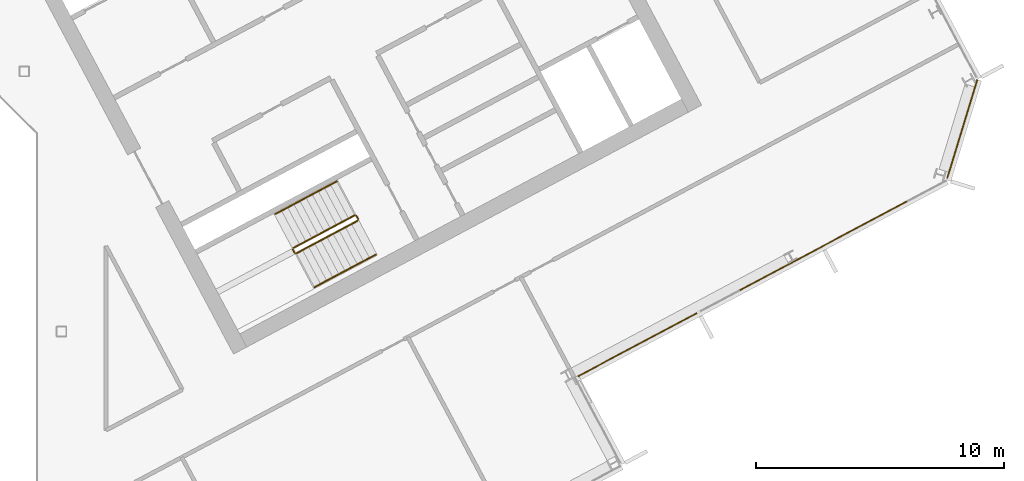
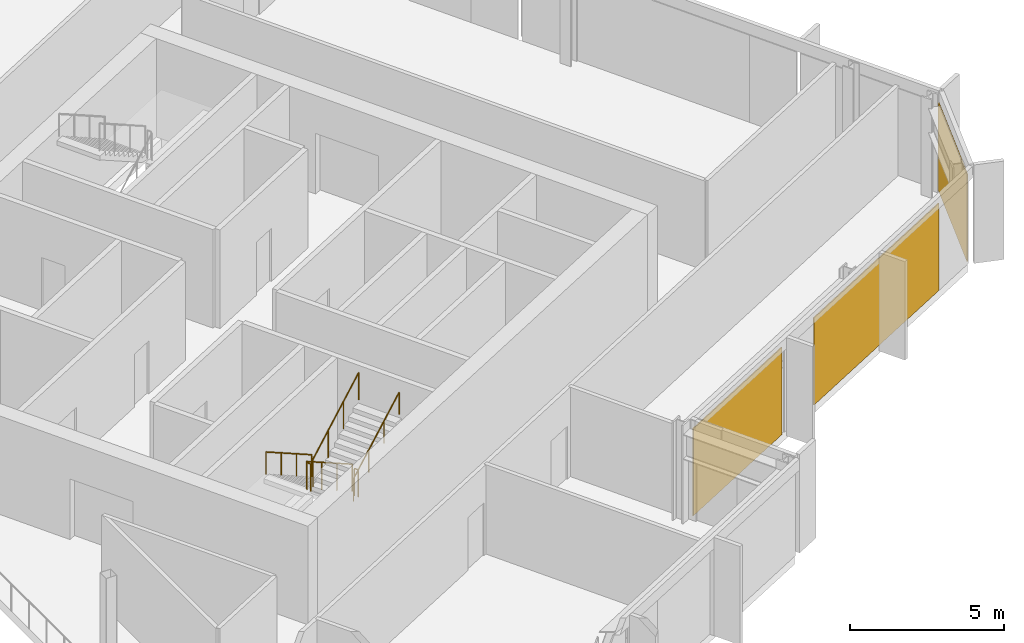
# One storey, part 25 of 27: 6 railings, 3 coverings, 2 elements without a shape of their own.
"""IFC4 building model written with IfcOpenShell, lengths in metres."""

import ifcopenshell
import ifcopenshell.guid

model = None  # the IFC model being written
_history = None  # IfcOwnerHistory: only IFC2X3 demands one
_inside = {}  # id of a spatial element -> (the spatial element, [elements in it])
_under = {}  # id of a project, library or spatial element -> (it, [spatial elements below it])
_declared = {}  # id of a project -> (the project, [libraries it declares])
_typed = {}  # id of a type object -> (the type object, [elements of that type])
_made_of = {}  # id of a material, layer set ... -> (it, [elements and type objects made of it])


def new_model(schema):
    """Start an empty IFC model of exactly this schema.

    Asked for "IFC4X3", IfcOpenShell would pick the latest addendum, in which some entities
    have other attributes; the version numbers below select the first issue.
    IFC2X3 requires an IfcOwnerHistory on every rooted entity: one is made here for all.
    """
    global model, _history
    if schema == "IFC4X3":
        model = ifcopenshell.file(schema_version=(4, 3, 0, 0))
    else:
        model = ifcopenshell.file(schema=schema)
    _inside.clear()
    _under.clear()
    _declared.clear()
    _typed.clear()
    _made_of.clear()
    _history = None
    if model.schema == "IFC2X3":
        org = make("IfcOrganization", Name="unknown")
        user = make(
            "IfcPersonAndOrganization",
            ThePerson=make("IfcPerson", FamilyName="unknown"),
            TheOrganization=org,
        )
        app = make(
            "IfcApplication",
            ApplicationDeveloper=org,
            Version="unknown",
            ApplicationFullName="unknown",
            ApplicationIdentifier="unknown",
        )
        _history = make(
            "IfcOwnerHistory",
            OwningUser=user,
            OwningApplication=app,
            ChangeAction="ADDED",
            CreationDate=0,
        )
    return model


def make(cls, **values):
    """One entity of the class cls with the attributes given. An attribute that is None is left unset."""
    return model.create_entity(
        cls, **{name: value for name, value in values.items() if value is not None}
    )


def rooted(cls, **values):
    """An entity with a GlobalId (a new one), such as an element, a storey or a relation."""
    return make(cls, GlobalId=ifcopenshell.guid.new(), OwnerHistory=_history, **values)


def si_unit(unit_type, name, prefix=None):
    """IfcSIUnit, for example si_unit("LENGTHUNIT", "METRE", prefix="MILLI")."""
    return make("IfcSIUnit", UnitType=unit_type, Prefix=prefix, Name=name)


def assignment(units):
    """IfcUnitAssignment: the units of a project."""
    return None if units is None else make("IfcUnitAssignment", Units=units)


def point(xyz):
    """IfcCartesianPoint."""
    return None if xyz is None else make("IfcCartesianPoint", Coordinates=xyz)


def direction(xyz):
    """IfcDirection."""
    return None if xyz is None else make("IfcDirection", DirectionRatios=xyz)


def frame(location, z_axis=None, x_axis=None):
    """IfcAxis2Placement3D, a coordinate frame: its origin and axes. An axis left out is left unset."""
    return make(
        "IfcAxis2Placement3D",
        Location=point(location),
        Axis=direction(z_axis),
        RefDirection=direction(x_axis),
    )


def frame_2d(location, x_axis=None):
    """IfcAxis2Placement2D, a coordinate frame in the plane: its origin and x axis."""
    return make(
        "IfcAxis2Placement2D", Location=point(location), RefDirection=direction(x_axis)
    )


def origin():
    """The frame at (0, 0, 0) with its axes left unset."""
    return frame((0.0, 0.0, 0.0))


def origin_2d():
    """The frame at (0, 0) in the plane with its x axis left unset."""
    return frame_2d((0.0, 0.0))


def place(relative_to, where):
    """IfcLocalPlacement: puts the frame where relative to a parent placement (None: the world)."""
    return make(
        "IfcLocalPlacement", PlacementRelTo=relative_to, RelativePlacement=where
    )


def context(
    kind, dimensions, precision=None, world=None, true_north=None, identifier=None
):
    """IfcGeometricRepresentationContext, for example the 3D "Model" context."""
    return make(
        "IfcGeometricRepresentationContext",
        ContextIdentifier=identifier,
        ContextType=kind,
        CoordinateSpaceDimension=dimensions,
        Precision=precision,
        WorldCoordinateSystem=world,
        TrueNorth=true_north,
    )


def subcontext(parent, identifier, kind, view, scale=None):
    """IfcGeometricRepresentationSubContext, for example "Body" below "Model"."""
    return make(
        "IfcGeometricRepresentationSubContext",
        ContextIdentifier=identifier,
        ContextType=kind,
        ParentContext=parent,
        TargetScale=scale,
        TargetView=view,
    )


def project(units=None, contexts=None):
    """IfcProject with its units and contexts."""
    return rooted(
        "IfcProject",
        Name="project",
        RepresentationContexts=contexts,
        UnitsInContext=assignment(units),
    )


def spatial(cls, under=None, at=None, **own):
    """A site, building, storey or space (cls), placed at a placement, below another one or the project."""
    s = rooted(cls, ObjectPlacement=at, **own)
    if under is not None:
        _under.setdefault(under.id(), (under, []))[1].append(s)
    return s


def polyline(points):
    """IfcPolyline through the points."""
    return make("IfcPolyline", Points=[point(p) for p in points])


def profile(cls, at=None, kind="AREA", **sizes):
    """A parametric profile (cls). Its sizes go by their IFC names, for example OverallWidth=200.0."""
    return make(cls, ProfileType=kind, Position=at, **sizes)


def rectangle(**sizes):
    """IfcRectangleProfileDef."""
    return profile("IfcRectangleProfileDef", **sizes)


def outline(outer, holes=None, kind="AREA"):
    """IfcArbitraryClosedProfileDef: a profile drawn as a closed curve; with holes, ...WithVoids."""
    if holes is None:
        return make("IfcArbitraryClosedProfileDef", ProfileType=kind, OuterCurve=outer)
    return make(
        "IfcArbitraryProfileDefWithVoids",
        ProfileType=kind,
        OuterCurve=outer,
        InnerCurves=holes,
    )


def extrude(swept, where, along, depth):
    """IfcExtrudedAreaSolid: the profile swept, set in the frame where, extruded along a direction by depth."""
    return make(
        "IfcExtrudedAreaSolid",
        SweptArea=swept,
        Position=where,
        ExtrudedDirection=direction(along),
        Depth=depth,
    )


def shape(context_of_items, identifier, shape_type, items):
    """IfcShapeRepresentation: the items that make up one representation, for example the "Body"."""
    return make(
        "IfcShapeRepresentation",
        ContextOfItems=context_of_items,
        RepresentationIdentifier=identifier,
        RepresentationType=shape_type,
        Items=items,
    )


def material(Name=None, Category=None):
    """IfcMaterial."""
    return make("IfcMaterial", Name=Name, Category=Category)


def layer(
    of_material, thickness, ventilated=None, Name=None, Category=None, Priority=None
):
    """IfcMaterialLayer: one layer of a wall or slab, of a material (None: an air gap)."""
    return make(
        "IfcMaterialLayer",
        Material=of_material,
        LayerThickness=thickness,
        IsVentilated=ventilated,
        Name=Name,
        Category=Category,
        Priority=Priority,
    )


def layer_set(layers, Name=None):
    """IfcMaterialLayerSet."""
    return make("IfcMaterialLayerSet", MaterialLayers=layers, LayerSetName=Name)


def made_of(thing, what):
    """Note that an element or type object is made of a material, layer set ...; save() writes the relation."""
    if what is not None:
        _made_of.setdefault(what.id(), (what, []))[1].append(thing)
    return thing


def type_object(cls, material=None, **own):
    """A type object (cls), such as IfcWallType, which elements share."""
    return made_of(rooted(cls, **own), material)


def element(
    cls,
    number,
    at=None,
    inside=None,
    cuts=None,
    type_object=None,
    material=None,
    context=None,
    identifier="Body",
    shape_type=None,
    held_by="IfcProductDefinitionShape",
    body=None,
    shapes=None,
    **own,
):
    """One element of the class cls, such as IfcWall. Its Tag is "e" and its number.

    at: its placement. inside: the storey or other place that contains it. cuts: it is an
    opening in that element (IfcRelVoidsElement). A single representation is given by context,
    identifier, shape_type and body (its items); several are given by shapes. held_by: the class
    of the entity that holds the representations. save() writes the other relations.
    """
    e = rooted(cls, Tag="e%d" % number, ObjectPlacement=at, **own)
    if body is not None:
        shapes = [shape(context, identifier, shape_type, body)]
    if shapes is not None:
        e.Representation = make(held_by, Representations=shapes)
    if inside is not None:
        _inside.setdefault(inside.id(), (inside, []))[1].append(e)
    if cuts is not None:
        rooted(
            "IfcRelVoidsElement", RelatingBuildingElement=cuts, RelatedOpeningElement=e
        )
    if type_object is not None:
        _typed.setdefault(type_object.id(), (type_object, []))[1].append(e)
    return made_of(e, material)


def aggregate(whole, parts):
    """IfcRelAggregates: a whole, such as a stair, and the parts it consists of."""
    return rooted("IfcRelAggregates", RelatingObject=whole, RelatedObjects=parts)


def save(model, path):
    """Write the relations noted so far, then the file.

    IfcRelAggregates (storeys below a building ...), IfcRelContainedInSpatialStructure (elements
    in a storey), IfcRelDefinesByType, IfcRelAssociatesMaterial and IfcRelDeclares: one each for
    every whole, place, type object, material and project.
    """
    for whole, parts in _under.values():
        aggregate(whole, parts)
    for where, things in _inside.values():
        rooted(
            "IfcRelContainedInSpatialStructure",
            RelatedElements=things,
            RelatingStructure=where,
        )
    for kind, things in _typed.values():
        rooted("IfcRelDefinesByType", RelatedObjects=things, RelatingType=kind)
    for what, things in _made_of.values():
        rooted("IfcRelAssociatesMaterial", RelatedObjects=things, RelatingMaterial=what)
    for by, libraries in _declared.values():
        rooted("IfcRelDeclares", RelatingContext=by, RelatedDefinitions=libraries)
    model.write(path)


model = new_model("IFC4")

# Units and contexts
model_context = context("Model", 3, precision=1e-05, world=origin(), true_north=direction((0.0, 1.0)))
body_context = subcontext(model_context, "Body", "Model", "MODEL_VIEW")
ifc_project = project(units=[si_unit("LENGTHUNIT", "METRE"), si_unit("AREAUNIT", "SQUARE_METRE"), si_unit("VOLUMEUNIT", "CUBIC_METRE"), si_unit("PLANEANGLEUNIT", "RADIAN"), si_unit("MASSUNIT", "GRAM", prefix="KILO")], contexts=[model_context])

# Site, building, storey
site_placement = place(None, origin())
site = spatial("IfcSite", under=ifc_project, at=site_placement, CompositionType="ELEMENT")
building_placement = place(site_placement, origin())
building = spatial("IfcBuilding", under=site, at=building_placement, Name="Cormorant Relay Tower", CompositionType="ELEMENT")
storey_placement = place(building_placement, frame((0.0, 0.0, 209.10009765625)))
storey = spatial("IfcBuildingStorey", under=building, at=storey_placement, Name="L45", CompositionType="ELEMENT", Elevation=209.10009765625)

# Curtain wall, coverings
ifc_material_1 = material(Name="Aluminium 6063-T6 anodised bronze", Category="aluminium")
ifc_layer_1 = layer(ifc_material_1, 0.199951171875)
ifc_layer_set_1 = layer_set([ifc_layer_1], Name="CW1 unitised bronze curtain wall with vertical fins")
curtain_wall_type = type_object("IfcCurtainWallType", Name="CW1 unitised bronze curtain wall with vertical fins", PredefinedType="NOTDEFINED", material=ifc_layer_set_1)
curtain_wall_1_placement = place(storey_placement, origin())
curtain_wall_1 = element("IfcCurtainWall", 1, at=curtain_wall_1_placement, inside=storey, type_object=curtain_wall_type, Name="CW1 curtain wall 4", PredefinedType="NOTDEFINED")
ifc_material_2 = material(Name="Pale bronze anodised aluminium insulated panel", Category="aluminium")
ifc_layer_2 = layer(ifc_material_2, 0.0400390625)
ifc_layer_set_2 = layer_set([ifc_layer_2], Name="CW1 pale bronze insulated panel 40")
covering_type = type_object("IfcCoveringType", Name="CW1 pale bronze insulated panel 40", PredefinedType="CLADDING", material=ifc_layer_set_2)
covering_1_placement = place(storey_placement, frame((35.247802734375, -0.534912109375, 0.0), z_axis=(0.0, 0.0, 1.0), x_axis=(0.882947592859, 0.469471562786, 0.0)))
covering_1 = element("IfcCovering", 2, at=covering_1_placement, type_object=covering_type, Name="CW1 panel S00", PredefinedType="CLADDING", context=body_context, shape_type="SweptSolid", body=[
    extrude(rectangle(XDim=5.441650390625, YDim=0.0400390625, at=origin_2d()), origin(), (0.0, 0.0, 1.0), 3.449951171875),
])
covering_2_placement = place(storey_placement, frame((42.752685546875, 3.455810546875, 0.0), z_axis=(0.0, 0.0, 1.0), x_axis=(0.882947592859, 0.469471562786, 0.0)))
covering_2 = element("IfcCovering", 3, at=covering_2_placement, type_object=covering_type, Name="CW1 panel S02", PredefinedType="CLADDING", context=body_context, shape_type="SweptSolid", body=[
    extrude(rectangle(XDim=7.658203125, YDim=0.0400390625, at=origin_2d()), origin(), (0.0, 0.0, 1.0), 3.449951171875),
])
aggregate(curtain_wall_1, [covering_1, covering_2])

# Curtain wall, covering
curtain_wall_2_placement = place(storey_placement, origin())
curtain_wall_2 = element("IfcCurtainWall", 4, at=curtain_wall_2_placement, inside=storey, type_object=curtain_wall_type, Name="CW1 curtain wall 5", PredefinedType="NOTDEFINED")
covering_3_placement = place(storey_placement, frame((48.364013671875, 8.1748046875, 0.0), z_axis=(0.0, 0.0, 1.0), x_axis=(0.292371704723, 0.956304755963, 0.0)))
covering_3 = element("IfcCovering", 5, at=covering_3_placement, type_object=covering_type, Name="CW1 panel S00", PredefinedType="CLADDING", context=body_context, shape_type="SweptSolid", body=[
    extrude(rectangle(XDim=4.16748046875, YDim=0.0400390625, at=origin_2d()), origin(), (0.0, 0.0, 1.0), 3.449951171875),
])
aggregate(curtain_wall_2, [covering_3])

# Railings
ifc_material_3 = material(Name="Steel ASTM A572 Grade 50 (Fy 345 MPa)", Category="steel")
railing_type_1 = type_object("IfcRailingType", Name="Stair guard 1100", PredefinedType="GUARDRAIL", material=ifc_material_3)
railing_1_placement = place(storey_placement, frame((23.83837890625, 4.6904296875, 0.17724609375)))
element("IfcRailing", 6, at=railing_1_placement, inside=storey, type_object=railing_type_1, Name="L45 B1 stair guard 1", PredefinedType="GUARDRAIL", context=body_context, shape_type="SweptSolid", body=[
    extrude(outline(polyline([(0.022216796875, 0.00927734375), (0.00927734375, 0.022216796875), (-0.00927734375, 0.022216796875), (-0.022216796875, 0.00927734375), (-0.022216796875, -0.00927734375), (-0.00927734375, -0.022216796875), (0.00927734375, -0.022216796875), (0.022216796875, -0.00927734375), (0.022216796875, 0.00927734375)])), frame((0.0, 0.0, 1.076171875), z_axis=(-0.746033882577, -0.396627473466, 0.534901947407), x_axis=(0.469429322983, -0.882970050864, 0.0)), (0.0, 0.0, 1.0), 3.31396484375),
    extrude(outline(polyline([(0.019287109375, 0.008056640625), (0.008056640625, 0.019287109375), (-0.008056640625, 0.019287109375), (-0.019287109375, 0.008056640625), (-0.019287109375, -0.008056640625), (-0.008056640625, -0.019287109375), (0.008056640625, -0.019287109375), (0.019287109375, -0.008056640625), (0.019287109375, 0.008056640625)])), origin(), (0.0, 0.0, 1.0), 1.052001953125),
    extrude(outline(polyline([(0.019287109375, 0.008056640625), (0.008056640625, 0.019287109375), (-0.008056640625, 0.019287109375), (-0.019287109375, 0.008056640625), (-0.019287109375, -0.008056640625), (-0.008056640625, -0.019287109375), (0.008056640625, -0.019287109375), (0.019287109375, -0.008056640625), (0.019287109375, 0.008056640625)])), frame((-0.82421875, -0.438232421875, 0.5908203125)), (0.0, 0.0, 1.0), 1.052001953125),
    extrude(outline(polyline([(0.019287109375, 0.008056640625), (0.008056640625, 0.019287109375), (-0.008056640625, 0.019287109375), (-0.019287109375, 0.008056640625), (-0.019287109375, -0.008056640625), (-0.008056640625, -0.019287109375), (0.008056640625, -0.019287109375), (0.019287109375, -0.008056640625), (0.019287109375, 0.008056640625)])), frame((-1.648193359375, -0.876220703125, 1.181884765625)), (0.0, 0.0, 1.0), 1.052001953125),
    extrude(outline(polyline([(0.019287109375, 0.008056640625), (0.008056640625, 0.019287109375), (-0.008056640625, 0.019287109375), (-0.019287109375, 0.008056640625), (-0.019287109375, -0.008056640625), (-0.008056640625, -0.019287109375), (0.008056640625, -0.019287109375), (0.019287109375, -0.008056640625), (0.019287109375, 0.008056640625)])), frame((-2.472412109375, -1.314453125, 1.772705078125)), (0.0, 0.0, 1.0), 1.052001953125),
])
railing_2_placement = place(storey_placement, frame((21.345458984375, 3.308349609375, 1.949951171875)))
element("IfcRailing", 7, at=railing_2_placement, inside=storey, type_object=railing_type_1, Name="L45 B1 stair guard 2", PredefinedType="GUARDRAIL", context=body_context, shape_type="SweptSolid", body=[
    extrude(outline(polyline([(0.022216796875, 0.00927734375), (0.00927734375, 0.022216796875), (-0.00927734375, 0.022216796875), (-0.022216796875, 0.00927734375), (-0.022216796875, -0.00927734375), (-0.00927734375, -0.022216796875), (0.00927734375, -0.022216796875), (0.022216796875, -0.00927734375), (0.022216796875, 0.00927734375)])), frame((0.0, 0.0, 1.076171875), z_axis=(0.46856034887, -0.8834314911, 0.0), x_axis=(0.8834314911, 0.46856034887, 0.0)), (0.0, 0.0, 1.0), 0.150146484375),
    extrude(outline(polyline([(0.019287109375, 0.008056640625), (0.008056640625, 0.019287109375), (-0.008056640625, 0.019287109375), (-0.019287109375, 0.008056640625), (-0.019287109375, -0.008056640625), (-0.008056640625, -0.019287109375), (0.008056640625, -0.019287109375), (0.019287109375, -0.008056640625), (0.019287109375, 0.008056640625)])), origin(), (0.0, 0.0, 1.0), 1.052001953125),
    extrude(outline(polyline([(0.019287109375, 0.008056640625), (0.008056640625, 0.019287109375), (-0.008056640625, 0.019287109375), (-0.019287109375, 0.008056640625), (-0.019287109375, -0.008056640625), (-0.008056640625, -0.019287109375), (0.008056640625, -0.019287109375), (0.019287109375, -0.008056640625), (0.019287109375, 0.008056640625)])), frame((0.0703125, -0.132568359375, 0.0)), (0.0, 0.0, 1.0), 1.052001953125),
])
railing_3_placement = place(storey_placement, frame((21.4833984375, 3.1552734375, 2.127197265625)))
element("IfcRailing", 8, at=railing_3_placement, inside=storey, type_object=railing_type_1, Name="L45 B1 stair guard 3", PredefinedType="GUARDRAIL", context=body_context, shape_type="SweptSolid", body=[
    extrude(outline(polyline([(0.022216796875, 0.00927734375), (0.00927734375, 0.022216796875), (-0.00927734375, 0.022216796875), (-0.022216796875, 0.00927734375), (-0.022216796875, -0.00927734375), (-0.00927734375, -0.022216796875), (0.00927734375, -0.022216796875), (0.022216796875, -0.00927734375), (0.022216796875, 0.00927734375)])), frame((0.0, 0.0, 1.076171875), z_axis=(0.746001213114, 0.396649272309, 0.534931345884), x_axis=(-0.469465464807, 0.882950835185, 0.0)), (0.0, 0.0, 1.0), 3.31396484375),
    extrude(outline(polyline([(0.019287109375, 0.008056640625), (0.008056640625, 0.019287109375), (-0.008056640625, 0.019287109375), (-0.019287109375, 0.008056640625), (-0.019287109375, -0.008056640625), (-0.008056640625, -0.019287109375), (0.008056640625, -0.019287109375), (0.019287109375, -0.008056640625), (0.019287109375, 0.008056640625)])), origin(), (0.0, 0.0, 1.0), 1.052001953125),
    extrude(outline(polyline([(0.019287109375, 0.008056640625), (0.008056640625, 0.019287109375), (-0.008056640625, 0.019287109375), (-0.019287109375, 0.008056640625), (-0.019287109375, -0.008056640625), (-0.008056640625, -0.019287109375), (0.008056640625, -0.019287109375), (0.019287109375, -0.008056640625), (0.019287109375, 0.008056640625)])), frame((0.823974609375, 0.438232421875, 0.5908203125)), (0.0, 0.0, 1.0), 1.052001953125),
    extrude(outline(polyline([(0.019287109375, 0.008056640625), (0.008056640625, 0.019287109375), (-0.008056640625, 0.019287109375), (-0.019287109375, 0.008056640625), (-0.019287109375, -0.008056640625), (-0.008056640625, -0.019287109375), (0.008056640625, -0.019287109375), (0.019287109375, -0.008056640625), (0.019287109375, 0.008056640625)])), frame((1.648193359375, 0.876220703125, 1.181884765625)), (0.0, 0.0, 1.0), 1.052001953125),
    extrude(outline(polyline([(0.019287109375, 0.008056640625), (0.008056640625, 0.019287109375), (-0.008056640625, 0.019287109375), (-0.019287109375, 0.008056640625), (-0.019287109375, -0.008056640625), (-0.008056640625, -0.019287109375), (0.008056640625, -0.019287109375), (0.019287109375, -0.008056640625), (0.019287109375, 0.008056640625)])), frame((2.47216796875, 1.314453125, 1.772705078125)), (0.0, 0.0, 1.0), 1.052001953125),
])
railing_4_placement = place(storey_placement, frame((23.906005859375, 4.669677734375, 0.0)))
element("IfcRailing", 9, at=railing_4_placement, inside=storey, type_object=railing_type_1, Name="L45 B1 stair guard 4", PredefinedType="GUARDRAIL", context=body_context, shape_type="SweptSolid", body=[
    extrude(outline(polyline([(0.022216796875, 0.00927734375), (0.00927734375, 0.022216796875), (-0.00927734375, 0.022216796875), (-0.022216796875, 0.00927734375), (-0.022216796875, -0.00927734375), (-0.00927734375, -0.022216796875), (0.00927734375, -0.022216796875), (0.022216796875, -0.00927734375), (0.022216796875, 0.00927734375)])), frame((0.0, 0.0, 1.076171875), z_axis=(0.469234640946, -0.883073525669, 0.0), x_axis=(0.883073525669, 0.469234640946, 0.0)), (0.0, 0.0, 1.0), 0.14990234375),
    extrude(outline(polyline([(0.019287109375, 0.008056640625), (0.008056640625, 0.019287109375), (-0.008056640625, 0.019287109375), (-0.019287109375, 0.008056640625), (-0.019287109375, -0.008056640625), (-0.008056640625, -0.019287109375), (0.008056640625, -0.019287109375), (0.019287109375, -0.008056640625), (0.019287109375, 0.008056640625)])), origin(), (0.0, 0.0, 1.0), 1.052001953125),
    extrude(outline(polyline([(0.019287109375, 0.008056640625), (0.008056640625, 0.019287109375), (-0.008056640625, 0.019287109375), (-0.019287109375, 0.008056640625), (-0.019287109375, -0.008056640625), (-0.008056640625, -0.019287109375), (0.008056640625, -0.019287109375), (0.019287109375, -0.008056640625), (0.019287109375, 0.008056640625)])), frame((0.0703125, -0.13232421875, 0.0)), (0.0, 0.0, 1.0), 1.052001953125),
])
ifc_material_4 = material(Name="Steel ASTM A572 Grade 50 (Fy 345 MPa)", Category="steel")
railing_type_2 = type_object("IfcRailingType", Name="Stair handrail 900", PredefinedType="HANDRAIL", material=ifc_material_4)
railing_5_placement = place(storey_placement, frame((23.110595703125, 6.05908203125, 0.17724609375)))
element("IfcRailing", 10, at=railing_5_placement, inside=storey, type_object=railing_type_2, Name="L45 B1 stair handrail 1", PredefinedType="HANDRAIL", context=body_context, shape_type="SweptSolid", body=[
    extrude(outline(polyline([(0.022216796875, 0.00927734375), (0.00927734375, 0.022216796875), (-0.00927734375, 0.022216796875), (-0.022216796875, 0.00927734375), (-0.022216796875, -0.00927734375), (-0.00927734375, -0.022216796875), (0.00927734375, -0.022216796875), (0.022216796875, -0.00927734375), (0.022216796875, 0.00927734375)])), frame((0.0, 0.0, 0.8759765625), z_axis=(-0.745979412481, -0.396711350603, 0.534915713414), x_axis=(0.469533439143, -0.882914689835, 0.0)), (0.0, 0.0, 1.0), 3.31396484375),
    extrude(outline(polyline([(0.019287109375, 0.008056640625), (0.008056640625, 0.019287109375), (-0.008056640625, 0.019287109375), (-0.019287109375, 0.008056640625), (-0.019287109375, -0.008056640625), (-0.008056640625, -0.019287109375), (0.008056640625, -0.019287109375), (0.019287109375, -0.008056640625), (0.019287109375, 0.008056640625)])), origin(), (0.0, 0.0, 1.0), 0.851806640625),
    extrude(outline(polyline([(0.019287109375, 0.008056640625), (0.008056640625, 0.019287109375), (-0.008056640625, 0.019287109375), (-0.019287109375, 0.008056640625), (-0.019287109375, -0.008056640625), (-0.008056640625, -0.019287109375), (0.008056640625, -0.019287109375), (0.019287109375, -0.008056640625), (0.019287109375, 0.008056640625)])), frame((-0.823974609375, -0.438232421875, 0.5908203125)), (0.0, 0.0, 1.0), 0.851806640625),
    extrude(outline(polyline([(0.019287109375, 0.008056640625), (0.008056640625, 0.019287109375), (-0.008056640625, 0.019287109375), (-0.019287109375, 0.008056640625), (-0.019287109375, -0.008056640625), (-0.008056640625, -0.019287109375), (0.008056640625, -0.019287109375), (0.019287109375, -0.008056640625), (0.019287109375, 0.008056640625)])), frame((-1.648193359375, -0.87646484375, 1.181884765625)), (0.0, 0.0, 1.0), 0.851806640625),
    extrude(outline(polyline([(0.019287109375, 0.008056640625), (0.008056640625, 0.019287109375), (-0.008056640625, 0.019287109375), (-0.019287109375, 0.008056640625), (-0.019287109375, -0.008056640625), (-0.008056640625, -0.019287109375), (0.008056640625, -0.019287109375), (0.019287109375, -0.008056640625), (0.019287109375, 0.008056640625)])), frame((-2.47216796875, -1.314697265625, 1.772705078125)), (0.0, 0.0, 1.0), 0.851806640625),
])
railing_6_placement = place(storey_placement, frame((22.211181640625, 1.78662109375, 2.127197265625)))
element("IfcRailing", 11, at=railing_6_placement, inside=storey, type_object=railing_type_2, Name="L45 B1 stair handrail 2", PredefinedType="HANDRAIL", context=body_context, shape_type="SweptSolid", body=[
    extrude(outline(polyline([(0.022216796875, 0.00927734375), (0.00927734375, 0.022216796875), (-0.00927734375, 0.022216796875), (-0.022216796875, 0.00927734375), (-0.022216796875, -0.00927734375), (-0.00927734375, -0.022216796875), (0.00927734375, -0.022216796875), (0.022216796875, -0.00927734375), (0.022216796875, 0.00927734375)])), frame((0.0, 0.0, 0.8759765625), z_axis=(0.746001213114, 0.396649272309, 0.534931345884), x_axis=(-0.469465464807, 0.882950835185, 0.0)), (0.0, 0.0, 1.0), 3.31396484375),
    extrude(outline(polyline([(0.019287109375, 0.008056640625), (0.008056640625, 0.019287109375), (-0.008056640625, 0.019287109375), (-0.019287109375, 0.008056640625), (-0.019287109375, -0.008056640625), (-0.008056640625, -0.019287109375), (0.008056640625, -0.019287109375), (0.019287109375, -0.008056640625), (0.019287109375, 0.008056640625)])), origin(), (0.0, 0.0, 1.0), 0.851806640625),
    extrude(outline(polyline([(0.019287109375, 0.008056640625), (0.008056640625, 0.019287109375), (-0.008056640625, 0.019287109375), (-0.019287109375, 0.008056640625), (-0.019287109375, -0.008056640625), (-0.008056640625, -0.019287109375), (0.008056640625, -0.019287109375), (0.019287109375, -0.008056640625), (0.019287109375, 0.008056640625)])), frame((0.823974609375, 0.438232421875, 0.5908203125)), (0.0, 0.0, 1.0), 0.851806640625),
    extrude(outline(polyline([(0.019287109375, 0.008056640625), (0.008056640625, 0.019287109375), (-0.008056640625, 0.019287109375), (-0.019287109375, 0.008056640625), (-0.019287109375, -0.008056640625), (-0.008056640625, -0.019287109375), (0.008056640625, -0.019287109375), (0.019287109375, -0.008056640625), (0.019287109375, 0.008056640625)])), frame((1.648193359375, 0.876220703125, 1.181884765625)), (0.0, 0.0, 1.0), 0.851806640625),
    extrude(outline(polyline([(0.019287109375, 0.008056640625), (0.008056640625, 0.019287109375), (-0.008056640625, 0.019287109375), (-0.019287109375, 0.008056640625), (-0.019287109375, -0.008056640625), (-0.008056640625, -0.019287109375), (0.008056640625, -0.019287109375), (0.019287109375, -0.008056640625), (0.019287109375, 0.008056640625)])), frame((2.47216796875, 1.314453125, 1.772705078125)), (0.0, 0.0, 1.0), 0.851806640625),
])

save(model, "model.ifc")
